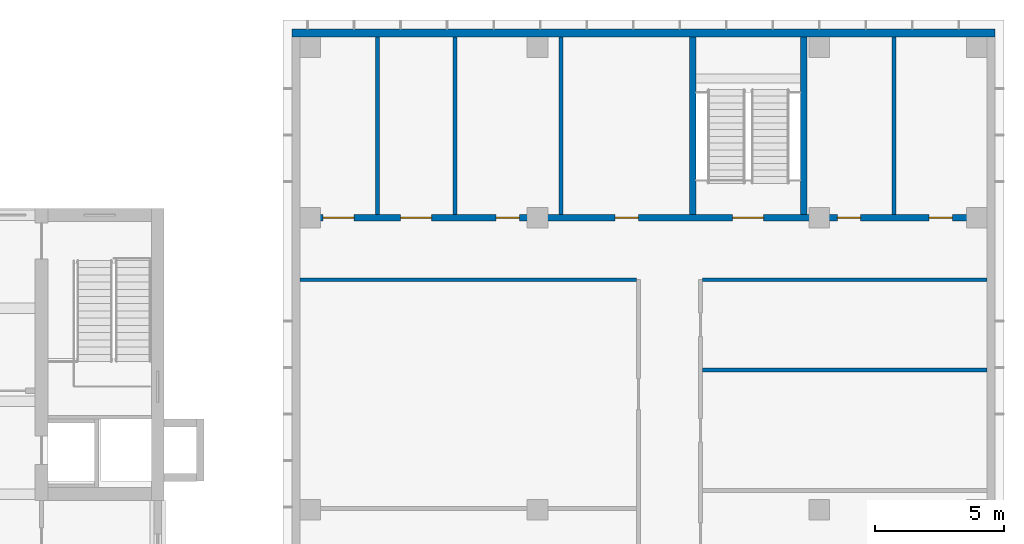
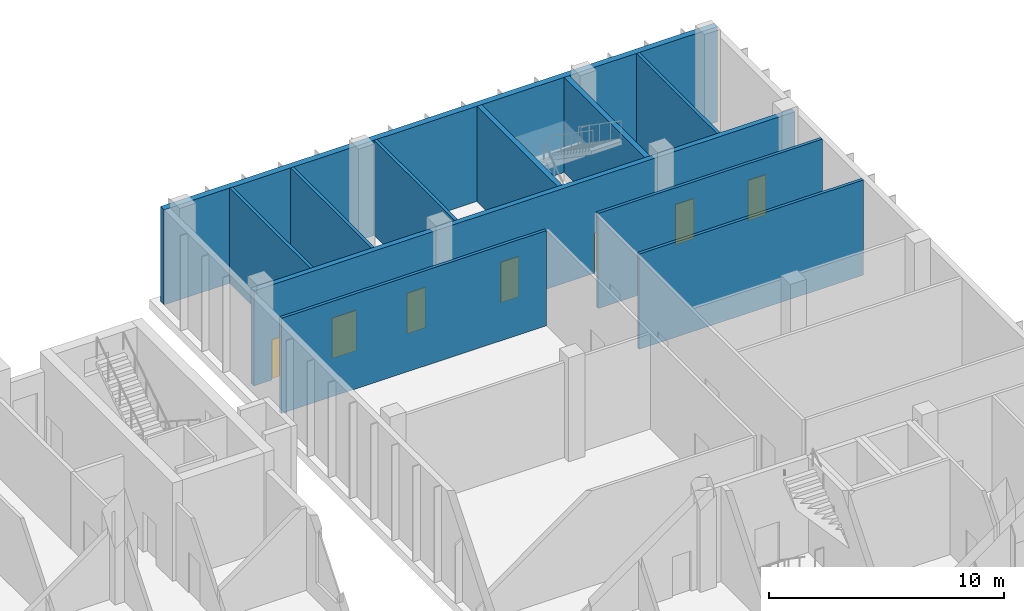
# One storey, part 26 of 33: 11 walls, 7 doors, 7 openings.
"""IFC4 building model written with IfcOpenShell, lengths in metres."""

from ifc_helpers import new_model, si_unit, direction, frame, frame_2d, origin, place, context, subcontext, project, spatial, rectangle, extrude, material, layer, layer_set, type_object, element, fill, save


model = new_model("IFC4")

# Units and contexts
model_context = context("Model", 3, precision=1e-05, world=origin(), true_north=direction((0.0, 1.0)))
body_context = subcontext(model_context, "Body", "Model", "MODEL_VIEW")
ifc_project = project(units=[si_unit("LENGTHUNIT", "METRE"), si_unit("AREAUNIT", "SQUARE_METRE"), si_unit("VOLUMEUNIT", "CUBIC_METRE"), si_unit("PLANEANGLEUNIT", "RADIAN"), si_unit("MASSUNIT", "GRAM", prefix="KILO")], contexts=[model_context])

# Site, building, storey
site_placement = place(None, origin())
site = spatial("IfcSite", under=ifc_project, at=site_placement, CompositionType="ELEMENT")
building_placement = place(site_placement, origin())
building = spatial("IfcBuilding", under=site, at=building_placement, Name="Basin Gate Institute", CompositionType="ELEMENT")
storey_placement = place(building_placement, frame((0.0, 0.0, 6.0)))
storey = spatial("IfcBuildingStorey", under=building, at=storey_placement, Name="L01", CompositionType="ELEMENT", Elevation=6.0)

# Wall, openings, doors
ifc_material_1 = material(Name="Concrete 40 MPa", Category="concrete")
ifc_layer_1 = layer(ifc_material_1, 0.25)
ifc_layer_set_1 = layer_set([ifc_layer_1], Name="Concrete 40 MPa")
wall_type_1 = type_object("IfcWallType", Name="Block enclosure wall W73 REI 120", PredefinedType="SOLIDWALL", material=ifc_layer_set_1)
wall_1_placement = place(storey_placement, frame((124.300048828125, 99.800048828125, 0.0), z_axis=(0.0, 0.0, 1.0), x_axis=(1.0, 0.0, 0.0)))
wall_1 = element("IfcWall", 1, at=wall_1_placement, inside=storey, type_object=wall_type_1, material=ifc_layer_set_1, Name="Stair and lift enclosure wall Cx9980-11 L01", PredefinedType="SOLIDWALL", context=body_context, shape_type="SweptSolid", body=[
    extrude(rectangle(XDim=26.599853515625, YDim=0.25, at=frame_2d((13.2998046875, 0.0))), origin(), (0.0, 0.0, 1.0), 4.949951171875),
])
opening_1_placement = place(wall_1_placement, frame((0.89990234375, 0.0, 0.0)))
opening_1 = element("IfcOpeningElement", 2, at=opening_1_placement, cuts=wall_1, Name="Opening D1029", PredefinedType="OPENING", context=body_context, shape_type="SweptSolid", body=[
    extrude(rectangle(XDim=1.199951171875, YDim=2.10009765625, at=frame_2d((0.60009765625, 1.050048828125))), frame((0.0, 0.135009765625, 0.0), z_axis=(0.0, -1.0, 0.0), x_axis=(1.0, 0.0, 0.0)), (0.0, 0.0, 1.0), 0.27001953125),
])
opening_2_placement = place(wall_1_placement, frame((3.89990234375, 0.0, 0.0)))
opening_2 = element("IfcOpeningElement", 3, at=opening_2_placement, cuts=wall_1, Name="Opening D1030", PredefinedType="OPENING", context=body_context, shape_type="SweptSolid", body=[
    extrude(rectangle(XDim=1.199951171875, YDim=2.10009765625, at=frame_2d((0.60009765625, 1.050048828125))), frame((0.0, 0.135009765625, 0.0), z_axis=(0.0, -1.0, 0.0), x_axis=(1.0, 0.0, 0.0)), (0.0, 0.0, 1.0), 0.27001953125),
])
opening_3_placement = place(wall_1_placement, frame((7.60009765625, 0.0, 0.0)))
opening_3 = element("IfcOpeningElement", 4, at=opening_3_placement, cuts=wall_1, Name="Opening D1031", PredefinedType="OPENING", context=body_context, shape_type="SweptSolid", body=[
    extrude(rectangle(XDim=0.89990234375, YDim=2.10009765625, at=frame_2d((0.449951171875, 1.050048828125))), frame((0.0, 0.135009765625, 0.0), z_axis=(0.0, -1.0, 0.0), x_axis=(1.0, 0.0, 0.0)), (0.0, 0.0, 1.0), 0.27001953125),
])
opening_4_placement = place(wall_1_placement, frame((20.800048828125, 0.0, 0.0)))
opening_4 = element("IfcOpeningElement", 5, at=opening_4_placement, cuts=wall_1, Name="Opening D1032", PredefinedType="OPENING", context=body_context, shape_type="SweptSolid", body=[
    extrude(rectangle(XDim=0.89990234375, YDim=2.10009765625, at=frame_2d((0.449951171875, 1.050048828125))), frame((0.0, 0.135009765625, 0.0), z_axis=(0.0, -1.0, 0.0), x_axis=(1.0, 0.0, 0.0)), (0.0, 0.0, 1.0), 0.27001953125),
])
opening_5_placement = place(wall_1_placement, frame((24.35009765625, 0.0, 0.0)))
opening_5 = element("IfcOpeningElement", 6, at=opening_5_placement, cuts=wall_1, Name="Opening D1033", PredefinedType="OPENING", context=body_context, shape_type="SweptSolid", body=[
    extrude(rectangle(XDim=0.89990234375, YDim=2.10009765625, at=frame_2d((0.449951171875, 1.050048828125))), frame((0.0, 0.135009765625, 0.0), z_axis=(0.0, -1.0, 0.0), x_axis=(1.0, 0.0, 0.0)), (0.0, 0.0, 1.0), 0.27001953125),
])
opening_6_placement = place(wall_1_placement, frame((12.199951171875, 0.0, 0.0)))
opening_6 = element("IfcOpeningElement", 7, at=opening_6_placement, cuts=wall_1, Name="Opening D1035", PredefinedType="OPENING", context=body_context, shape_type="SweptSolid", body=[
    extrude(rectangle(XDim=0.89990234375, YDim=2.10009765625, at=frame_2d((0.449951171875, 1.050048828125))), frame((0.0, 0.135009765625, 0.0), z_axis=(0.0, -1.0, 0.0), x_axis=(1.0, 0.0, 0.0)), (0.0, 0.0, 1.0), 0.27001953125),
])
opening_7_placement = place(wall_1_placement, frame((16.75, 0.0, 0.0)))
opening_7 = element("IfcOpeningElement", 8, at=opening_7_placement, cuts=wall_1, Name="Opening D1037", PredefinedType="OPENING", context=body_context, shape_type="SweptSolid", body=[
    extrude(rectangle(XDim=1.199951171875, YDim=2.10009765625, at=frame_2d((0.60009765625, 1.050048828125))), frame((0.0, 0.135009765625, 0.0), z_axis=(0.0, -1.0, 0.0), x_axis=(1.0, 0.0, 0.0)), (0.0, 0.0, 1.0), 0.27001953125),
])
ifc_material_2 = material(Name="Timber door leaf in steel frame", Category="steel")
door_type_1 = type_object("IfcDoorType", Name="Block door 1200 single swing", OperationType="NOTDEFINED", PredefinedType="DOOR", material=ifc_material_2)
door_1_placement = place(opening_1_placement, origin())
door_1 = element("IfcDoor", 9, at=door_1_placement, inside=storey, type_object=door_type_1, material=ifc_material_2, Name="Gowning Airlock door L01", OperationType="SINGLE_SWING_LEFT", OverallHeight=2.10009765625, OverallWidth=1.199951171875, PredefinedType="DOOR", context=body_context, shape_type="SweptSolid", body=[
    extrude(rectangle(XDim=1.199951171875, YDim=2.10009765625, at=frame_2d((0.60009765625, 1.050048828125))), frame((0.0, 0.02490234375, 0.0), z_axis=(0.0, -1.0, 0.0), x_axis=(1.0, 0.0, 0.0)), (0.0, 0.0, 1.0), 0.050048828125),
])
fill(opening_1, door_1)
door_2_placement = place(opening_2_placement, origin())
door_2 = element("IfcDoor", 10, at=door_2_placement, inside=storey, type_object=door_type_1, material=ifc_material_2, Name="Material Airlock door L01", OperationType="SINGLE_SWING_LEFT", OverallHeight=2.10009765625, OverallWidth=1.199951171875, PredefinedType="DOOR", context=body_context, shape_type="SweptSolid", body=[
    extrude(rectangle(XDim=1.199951171875, YDim=2.10009765625, at=frame_2d((0.60009765625, 1.050048828125))), frame((0.0, 0.02490234375, 0.0), z_axis=(0.0, -1.0, 0.0), x_axis=(1.0, 0.0, 0.0)), (0.0, 0.0, 1.0), 0.050048828125),
])
fill(opening_2, door_2)
ifc_material_3 = material(Name="Timber door leaf in steel frame", Category="steel")
door_type_2 = type_object("IfcDoorType", Name="Block door 900 single swing", OperationType="NOTDEFINED", PredefinedType="DOOR", material=ifc_material_3)
door_3_placement = place(opening_3_placement, origin())
door_3 = element("IfcDoor", 11, at=door_3_placement, inside=storey, type_object=door_type_2, material=ifc_material_3, Name="Cleaning Store door L01", OperationType="SINGLE_SWING_RIGHT", OverallHeight=2.10009765625, OverallWidth=0.89990234375, PredefinedType="DOOR", context=body_context, shape_type="SweptSolid", body=[
    extrude(rectangle(XDim=0.89990234375, YDim=2.10009765625, at=frame_2d((0.449951171875, 1.050048828125))), frame((0.0, 0.02490234375, 0.0), z_axis=(0.0, -1.0, 0.0), x_axis=(1.0, 0.0, 0.0)), (0.0, 0.0, 1.0), 0.050048828125),
])
fill(opening_3, door_3)
door_4_placement = place(opening_4_placement, origin())
door_4 = element("IfcDoor", 12, at=door_4_placement, inside=storey, type_object=door_type_2, material=ifc_material_3, Name="Accessible WC door L01", OperationType="SINGLE_SWING_LEFT", OverallHeight=2.10009765625, OverallWidth=0.89990234375, PredefinedType="DOOR", context=body_context, shape_type="SweptSolid", body=[
    extrude(rectangle(XDim=0.89990234375, YDim=2.10009765625, at=frame_2d((0.449951171875, 1.050048828125))), frame((0.0, 0.02490234375, 0.0), z_axis=(0.0, -1.0, 0.0), x_axis=(1.0, 0.0, 0.0)), (0.0, 0.0, 1.0), 0.050048828125),
])
fill(opening_4, door_4)
door_5_placement = place(opening_5_placement, origin())
door_5 = element("IfcDoor", 13, at=door_5_placement, inside=storey, type_object=door_type_2, material=ifc_material_3, Name="Male WC door L01", OperationType="SINGLE_SWING_RIGHT", OverallHeight=2.10009765625, OverallWidth=0.89990234375, PredefinedType="DOOR", context=body_context, shape_type="SweptSolid", body=[
    extrude(rectangle(XDim=0.89990234375, YDim=2.10009765625, at=frame_2d((0.449951171875, 1.050048828125))), frame((0.0, 0.02490234375, 0.0), z_axis=(0.0, -1.0, 0.0), x_axis=(1.0, 0.0, 0.0)), (0.0, 0.0, 1.0), 0.050048828125),
])
fill(opening_5, door_5)
door_6_placement = place(opening_6_placement, origin())
door_6 = element("IfcDoor", 14, at=door_6_placement, inside=storey, type_object=door_type_2, material=ifc_material_3, Name="Utility Room door L01", OperationType="SINGLE_SWING_RIGHT", OverallHeight=2.10009765625, OverallWidth=0.89990234375, PredefinedType="DOOR", context=body_context, shape_type="SweptSolid", body=[
    extrude(rectangle(XDim=0.89990234375, YDim=2.10009765625, at=frame_2d((0.449951171875, 1.050048828125))), frame((0.0, 0.02490234375, 0.0), z_axis=(0.0, -1.0, 0.0), x_axis=(1.0, 0.0, 0.0)), (0.0, 0.0, 1.0), 0.050048828125),
])
fill(opening_6, door_6)
ifc_material_4 = material(Name="Steel fire door leaf", Category="steel")
door_type_3 = type_object("IfcDoorType", Name="FD60 door 1200 single swing", OperationType="NOTDEFINED", PredefinedType="DOOR", material=ifc_material_4)
door_7_placement = place(opening_7_placement, origin())
door_7 = element("IfcDoor", 15, at=door_7_placement, inside=storey, type_object=door_type_3, material=ifc_material_4, Name="Stair door ST-C6 L01", OperationType="SINGLE_SWING_RIGHT", OverallHeight=2.10009765625, OverallWidth=1.199951171875, PredefinedType="DOOR", context=body_context, shape_type="SweptSolid", body=[
    extrude(rectangle(XDim=1.199951171875, YDim=2.10009765625, at=frame_2d((0.60009765625, 1.050048828125))), frame((0.0, 0.02490234375, 0.0), z_axis=(0.0, -1.0, 0.0), x_axis=(1.0, 0.0, 0.0)), (0.0, 0.0, 1.0), 0.050048828125),
])
fill(opening_7, door_7)

# Walls
for number, where, z_axis, x_axis, name in (
    (16, (139.5, 99.925048828125, 0.0), (0.0, 0.0, 1.0), (0.0, 1.0, 0.0), "Stair and lift enclosure wall Cy13950-19 L01"),
    (17, (143.800048828125, 99.925048828125, 0.0), (0.0, 0.0, 1.0), (0.0, 1.0, 0.0), "Stair and lift enclosure wall Cy14380-22 L01"),
):
    element("IfcWall", number, at=place(storey_placement, frame(where, z_axis=z_axis, x_axis=x_axis)), inside=storey, type_object=wall_type_1, material=ifc_layer_set_1, Name=name, PredefinedType="SOLIDWALL", context=body_context, shape_type="SweptSolid", body=[
        extrude(rectangle(XDim=6.875, YDim=0.25, at=frame_2d((3.4375, 0.0))), origin(), (0.0, 0.0, 1.0), 4.949951171875),
    ])
ifc_material_5 = material(Name="Insulated sandwich panel, mineral wool core, galvanised sheet faces")
ifc_layer_2 = layer(ifc_material_5, 0.300048828125)
ifc_layer_set_2 = layer_set([ifc_layer_2], Name="Clean block insulated panel wall W80 EI 60")
wall_type_2 = type_object("IfcWallType", Name="Clean block insulated panel wall W80 EI 60", PredefinedType="SOLIDWALL", material=ifc_layer_set_2)
wall_2_placement = place(storey_placement, frame((124.0, 106.949951171875, 0.0), z_axis=(0.0, 0.0, 1.0), x_axis=(1.0, 0.0, 0.0)))
element("IfcWall", 18, at=wall_2_placement, inside=storey, type_object=wall_type_2, material=ifc_layer_set_2, Name="Clean block insulated panel wall north L01", PredefinedType="SOLIDWALL", context=body_context, shape_type="SweptSolid", body=[
    extrude(rectangle(XDim=27.199951171875, YDim=0.300048828125, at=frame_2d((13.60009765625, 0.0))), origin(), (0.0, 0.0, 1.0), 4.949951171875),
])
ifc_material_6 = material(Name="Gypsum board partition on steel studs, 60 minute", Category="steel")
ifc_layer_3 = layer(ifc_material_6, 0.14990234375)
ifc_layer_set_3 = layer_set([ifc_layer_3], Name="Gypsum board partition on steel studs, 60 minute")
wall_type_3 = type_object("IfcWallType", Name="Clean block partition PW72 EI 60", PredefinedType="SOLIDWALL", material=ifc_layer_set_3)
wall_3_placement = place(storey_placement, frame((139.875, 93.906982421875, 0.0), z_axis=(0.0, 0.0, 1.0), x_axis=(1.0, 0.0, 0.0)))
element("IfcWall", 19, at=wall_3_placement, inside=storey, type_object=wall_type_3, material=ifc_layer_set_3, Name="Clean block partition Cx9391-8 L01", PredefinedType="SOLIDWALL", context=body_context, shape_type="SweptSolid", body=[
    extrude(rectangle(XDim=11.02490234375, YDim=0.14990234375, at=frame_2d((5.512451171875, 0.0))), origin(), (0.0, 0.0, 1.0), 4.949951171875),
])
wall_4_placement = place(storey_placement, frame((124.300048828125, 97.39990234375, 0.0), z_axis=(0.0, 0.0, 1.0), x_axis=(1.0, 0.0, 0.0)))
element("IfcWall", 20, at=wall_4_placement, inside=storey, type_object=wall_type_3, material=ifc_layer_set_3, Name="Clean block partition Cx9740-9 L01", PredefinedType="SOLIDWALL", context=body_context, shape_type="SweptSolid", body=[
    extrude(rectangle(XDim=13.02490234375, YDim=0.14990234375, at=frame_2d((6.512451171875, 0.0))), origin(), (0.0, 0.0, 1.0), 4.949951171875),
])
wall_5_placement = place(storey_placement, frame((139.875, 97.39990234375, 0.0), z_axis=(0.0, 0.0, 1.0), x_axis=(1.0, 0.0, 0.0)))
element("IfcWall", 21, at=wall_5_placement, inside=storey, type_object=wall_type_3, material=ifc_layer_set_3, Name="Clean block partition Cx9740-10 L01", PredefinedType="SOLIDWALL", context=body_context, shape_type="SweptSolid", body=[
    extrude(rectangle(XDim=11.02490234375, YDim=0.14990234375, at=frame_2d((5.512451171875, 0.0))), origin(), (0.0, 0.0, 1.0), 4.949951171875),
])
for number, where, z_axis, x_axis, name in (
    (22, (127.300048828125, 99.925048828125, 0.0), (0.0, 0.0, 1.0), (0.0, 1.0, 0.0), "Clean block partition Cy12730-12 L01"),
    (23, (130.300048828125, 99.925048828125, 0.0), (0.0, 0.0, 1.0), (0.0, 1.0, 0.0), "Clean block partition Cy13030-14 L01"),
    (24, (134.39990234375, 99.925048828125, 0.0), (0.0, 0.0, 1.0), (0.0, 1.0, 0.0), "Clean block partition Cy13440-16 L01"),
    (25, (147.300048828125, 99.925048828125, 0.0), (0.0, 0.0, 1.0), (0.0, 1.0, 0.0), "Clean block partition Cy14730-23 L01"),
):
    element("IfcWall", number, at=place(storey_placement, frame(where, z_axis=z_axis, x_axis=x_axis)), inside=storey, type_object=wall_type_3, material=ifc_layer_set_3, Name=name, PredefinedType="SOLIDWALL", context=body_context, shape_type="SweptSolid", body=[
        extrude(rectangle(XDim=6.875, YDim=0.14990234375, at=frame_2d((3.4375, 0.0))), origin(), (0.0, 0.0, 1.0), 4.949951171875),
    ])

save(model, "model.ifc")
